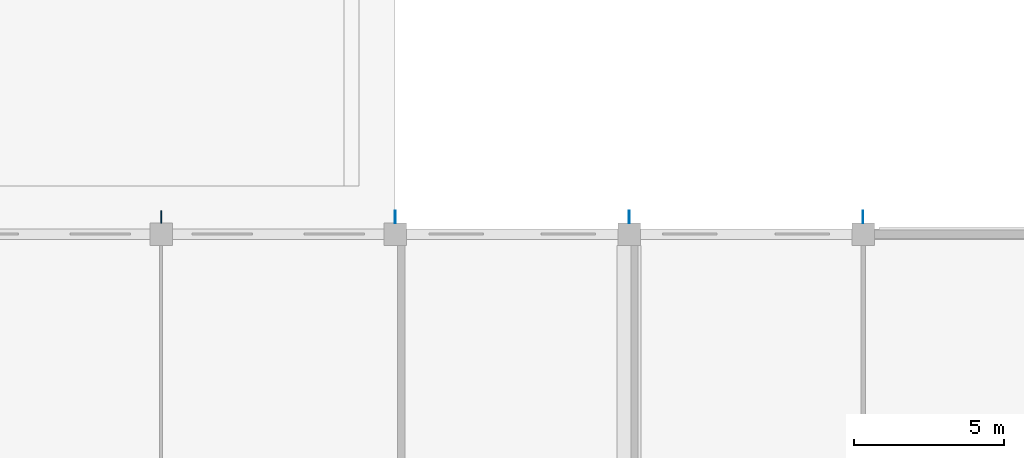
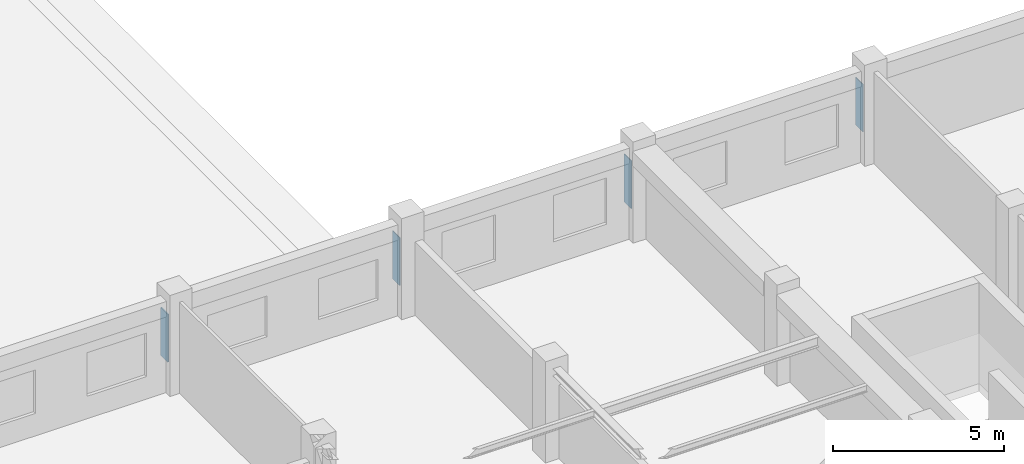
# One storey, part 29 of 50: 4 plates.
"""IFC4 building model written with IfcOpenShell, lengths in metres."""

import ifcopenshell
import ifcopenshell.guid

model = None  # the IFC model being written
_history = None  # IfcOwnerHistory: only IFC2X3 demands one
_inside = {}  # id of a spatial element -> (the spatial element, [elements in it])
_under = {}  # id of a project, library or spatial element -> (it, [spatial elements below it])
_declared = {}  # id of a project -> (the project, [libraries it declares])
_typed = {}  # id of a type object -> (the type object, [elements of that type])
_made_of = {}  # id of a material, layer set ... -> (it, [elements and type objects made of it])


def new_model(schema):
    """Start an empty IFC model of exactly this schema.

    Asked for "IFC4X3", IfcOpenShell would pick the latest addendum, in which some entities
    have other attributes; the version numbers below select the first issue.
    IFC2X3 requires an IfcOwnerHistory on every rooted entity: one is made here for all.
    """
    global model, _history
    if schema == "IFC4X3":
        model = ifcopenshell.file(schema_version=(4, 3, 0, 0))
    else:
        model = ifcopenshell.file(schema=schema)
    _inside.clear()
    _under.clear()
    _declared.clear()
    _typed.clear()
    _made_of.clear()
    _history = None
    if model.schema == "IFC2X3":
        org = make("IfcOrganization", Name="unknown")
        user = make(
            "IfcPersonAndOrganization",
            ThePerson=make("IfcPerson", FamilyName="unknown"),
            TheOrganization=org,
        )
        app = make(
            "IfcApplication",
            ApplicationDeveloper=org,
            Version="unknown",
            ApplicationFullName="unknown",
            ApplicationIdentifier="unknown",
        )
        _history = make(
            "IfcOwnerHistory",
            OwningUser=user,
            OwningApplication=app,
            ChangeAction="ADDED",
            CreationDate=0,
        )
    return model


def make(cls, **values):
    """One entity of the class cls with the attributes given. An attribute that is None is left unset."""
    return model.create_entity(
        cls, **{name: value for name, value in values.items() if value is not None}
    )


def rooted(cls, **values):
    """An entity with a GlobalId (a new one), such as an element, a storey or a relation."""
    return make(cls, GlobalId=ifcopenshell.guid.new(), OwnerHistory=_history, **values)


def si_unit(unit_type, name, prefix=None):
    """IfcSIUnit, for example si_unit("LENGTHUNIT", "METRE", prefix="MILLI")."""
    return make("IfcSIUnit", UnitType=unit_type, Prefix=prefix, Name=name)


def assignment(units):
    """IfcUnitAssignment: the units of a project."""
    return None if units is None else make("IfcUnitAssignment", Units=units)


def point(xyz):
    """IfcCartesianPoint."""
    return None if xyz is None else make("IfcCartesianPoint", Coordinates=xyz)


def direction(xyz):
    """IfcDirection."""
    return None if xyz is None else make("IfcDirection", DirectionRatios=xyz)


def frame(location, z_axis=None, x_axis=None):
    """IfcAxis2Placement3D, a coordinate frame: its origin and axes. An axis left out is left unset."""
    return make(
        "IfcAxis2Placement3D",
        Location=point(location),
        Axis=direction(z_axis),
        RefDirection=direction(x_axis),
    )


def frame_2d(location, x_axis=None):
    """IfcAxis2Placement2D, a coordinate frame in the plane: its origin and x axis."""
    return make(
        "IfcAxis2Placement2D", Location=point(location), RefDirection=direction(x_axis)
    )


def origin():
    """The frame at (0, 0, 0) with its axes left unset."""
    return frame((0.0, 0.0, 0.0))


def origin_2d():
    """The frame at (0, 0) in the plane with its x axis left unset."""
    return frame_2d((0.0, 0.0))


def place(relative_to, where):
    """IfcLocalPlacement: puts the frame where relative to a parent placement (None: the world)."""
    return make(
        "IfcLocalPlacement", PlacementRelTo=relative_to, RelativePlacement=where
    )


def context(
    kind, dimensions, precision=None, world=None, true_north=None, identifier=None
):
    """IfcGeometricRepresentationContext, for example the 3D "Model" context."""
    return make(
        "IfcGeometricRepresentationContext",
        ContextIdentifier=identifier,
        ContextType=kind,
        CoordinateSpaceDimension=dimensions,
        Precision=precision,
        WorldCoordinateSystem=world,
        TrueNorth=true_north,
    )


def subcontext(parent, identifier, kind, view, scale=None):
    """IfcGeometricRepresentationSubContext, for example "Body" below "Model"."""
    return make(
        "IfcGeometricRepresentationSubContext",
        ContextIdentifier=identifier,
        ContextType=kind,
        ParentContext=parent,
        TargetScale=scale,
        TargetView=view,
    )


def project(units=None, contexts=None):
    """IfcProject with its units and contexts."""
    return rooted(
        "IfcProject",
        Name="project",
        RepresentationContexts=contexts,
        UnitsInContext=assignment(units),
    )


def spatial(cls, under=None, at=None, **own):
    """A site, building, storey or space (cls), placed at a placement, below another one or the project."""
    s = rooted(cls, ObjectPlacement=at, **own)
    if under is not None:
        _under.setdefault(under.id(), (under, []))[1].append(s)
    return s


def profile(cls, at=None, kind="AREA", **sizes):
    """A parametric profile (cls). Its sizes go by their IFC names, for example OverallWidth=200.0."""
    return make(cls, ProfileType=kind, Position=at, **sizes)


def rectangle(**sizes):
    """IfcRectangleProfileDef."""
    return profile("IfcRectangleProfileDef", **sizes)


def extrude(swept, where, along, depth):
    """IfcExtrudedAreaSolid: the profile swept, set in the frame where, extruded along a direction by depth."""
    return make(
        "IfcExtrudedAreaSolid",
        SweptArea=swept,
        Position=where,
        ExtrudedDirection=direction(along),
        Depth=depth,
    )


def shape(context_of_items, identifier, shape_type, items):
    """IfcShapeRepresentation: the items that make up one representation, for example the "Body"."""
    return make(
        "IfcShapeRepresentation",
        ContextOfItems=context_of_items,
        RepresentationIdentifier=identifier,
        RepresentationType=shape_type,
        Items=items,
    )


def material(Name=None, Category=None):
    """IfcMaterial."""
    return make("IfcMaterial", Name=Name, Category=Category)


def layer(
    of_material, thickness, ventilated=None, Name=None, Category=None, Priority=None
):
    """IfcMaterialLayer: one layer of a wall or slab, of a material (None: an air gap)."""
    return make(
        "IfcMaterialLayer",
        Material=of_material,
        LayerThickness=thickness,
        IsVentilated=ventilated,
        Name=Name,
        Category=Category,
        Priority=Priority,
    )


def layer_set(layers, Name=None):
    """IfcMaterialLayerSet."""
    return make("IfcMaterialLayerSet", MaterialLayers=layers, LayerSetName=Name)


def made_of(thing, what):
    """Note that an element or type object is made of a material, layer set ...; save() writes the relation."""
    if what is not None:
        _made_of.setdefault(what.id(), (what, []))[1].append(thing)
    return thing


def type_object(cls, material=None, **own):
    """A type object (cls), such as IfcWallType, which elements share."""
    return made_of(rooted(cls, **own), material)


def element(
    cls,
    number,
    at=None,
    inside=None,
    cuts=None,
    type_object=None,
    material=None,
    context=None,
    identifier="Body",
    shape_type=None,
    held_by="IfcProductDefinitionShape",
    body=None,
    shapes=None,
    **own,
):
    """One element of the class cls, such as IfcWall. Its Tag is "e" and its number.

    at: its placement. inside: the storey or other place that contains it. cuts: it is an
    opening in that element (IfcRelVoidsElement). A single representation is given by context,
    identifier, shape_type and body (its items); several are given by shapes. held_by: the class
    of the entity that holds the representations. save() writes the other relations.
    """
    e = rooted(cls, Tag="e%d" % number, ObjectPlacement=at, **own)
    if body is not None:
        shapes = [shape(context, identifier, shape_type, body)]
    if shapes is not None:
        e.Representation = make(held_by, Representations=shapes)
    if inside is not None:
        _inside.setdefault(inside.id(), (inside, []))[1].append(e)
    if cuts is not None:
        rooted(
            "IfcRelVoidsElement", RelatingBuildingElement=cuts, RelatedOpeningElement=e
        )
    if type_object is not None:
        _typed.setdefault(type_object.id(), (type_object, []))[1].append(e)
    return made_of(e, material)


def aggregate(whole, parts):
    """IfcRelAggregates: a whole, such as a stair, and the parts it consists of."""
    return rooted("IfcRelAggregates", RelatingObject=whole, RelatedObjects=parts)


def save(model, path):
    """Write the relations noted so far, then the file.

    IfcRelAggregates (storeys below a building ...), IfcRelContainedInSpatialStructure (elements
    in a storey), IfcRelDefinesByType, IfcRelAssociatesMaterial and IfcRelDeclares: one each for
    every whole, place, type object, material and project.
    """
    for whole, parts in _under.values():
        aggregate(whole, parts)
    for where, things in _inside.values():
        rooted(
            "IfcRelContainedInSpatialStructure",
            RelatedElements=things,
            RelatingStructure=where,
        )
    for kind, things in _typed.values():
        rooted("IfcRelDefinesByType", RelatedObjects=things, RelatingType=kind)
    for what, things in _made_of.values():
        rooted("IfcRelAssociatesMaterial", RelatedObjects=things, RelatingMaterial=what)
    for by, libraries in _declared.values():
        rooted("IfcRelDeclares", RelatingContext=by, RelatedDefinitions=libraries)
    model.write(path)


model = new_model("IFC4")

# Units and contexts
model_context = context("Model", 3, precision=1e-05, world=origin(), true_north=direction((0.0, 1.0)))
body_context = subcontext(model_context, "Body", "Model", "MODEL_VIEW")
ifc_project = project(units=[si_unit("LENGTHUNIT", "METRE"), si_unit("AREAUNIT", "SQUARE_METRE"), si_unit("VOLUMEUNIT", "CUBIC_METRE"), si_unit("PLANEANGLEUNIT", "RADIAN"), si_unit("MASSUNIT", "GRAM", prefix="KILO"), si_unit("THERMODYNAMICTEMPERATUREUNIT", "KELVIN"), si_unit("POWERUNIT", "WATT")], contexts=[model_context])

# Site, building, storey
site_placement = place(None, origin())
site = spatial("IfcSite", under=ifc_project, at=site_placement, CompositionType="ELEMENT")
building_placement = place(site_placement, origin())
building = spatial("IfcBuilding", under=site, at=building_placement, Name="Srebrne Nadtorze General Hospital", CompositionType="ELEMENT")
storey_placement = place(building_placement, frame((0.0, 0.0, 14.39990234375)))
storey = spatial("IfcBuildingStorey", under=building, at=storey_placement, Name="L03", CompositionType="ELEMENT", Elevation=14.39990234375)

# Plates
ifc_material_1 = material(Name="Steel S355J2", Category="steel")
ifc_layer_1 = layer(ifc_material_1, 0.02490234375)
ifc_layer_set_1 = layer_set([ifc_layer_1], Name="Steel S355J2")
plate_type_1 = type_object("IfcPlateType", Name="Steel gusset plate 25", PredefinedType="SHEET", material=ifc_layer_set_1)
plate_1_placement = place(storey_placement, frame((78.0, 92.97509765625, 0.64990234375), z_axis=(0.0, 0.0, 1.0), x_axis=(1.0, 0.0, 0.0)))
element("IfcPlate", 1, at=plate_1_placement, inside=storey, type_object=plate_type_1, Name="Steel connection gusset plate 8", PredefinedType="SHEET", context=body_context, shape_type="SweptSolid", body=[
    extrude(rectangle(XDim=0.02490234375, YDim=0.419921875, at=origin_2d()), origin(), (0.0, 0.0, 1.0), 1.699951171875),
])
ifc_material_2 = material(Name="Steel S355J2", Category="steel")
ifc_layer_2 = layer(ifc_material_2, 0.031982421875)
ifc_layer_set_2 = layer_set([ifc_layer_2], Name="Steel S355J2")
plate_type_2 = type_object("IfcPlateType", Name="Steel gusset plate 32", PredefinedType="SHEET", material=ifc_layer_set_2)
plate_2_placement = place(storey_placement, frame((70.199951171875, 92.97509765625, 0.64990234375), z_axis=(0.0, 0.0, 1.0), x_axis=(1.0, 0.0, 0.0)))
element("IfcPlate", 2, at=plate_2_placement, inside=storey, type_object=plate_type_2, Name="Steel connection gusset plate 7", PredefinedType="SHEET", context=body_context, shape_type="SweptSolid", body=[
    extrude(rectangle(XDim=0.031982421875, YDim=0.419921875, at=origin_2d()), origin(), (0.0, 0.0, 1.0), 1.699951171875),
])
ifc_material_3 = material(Name="Steel S355J2", Category="steel")
ifc_layer_3 = layer(ifc_material_3, 0.0400390625)
ifc_layer_set_3 = layer_set([ifc_layer_3], Name="Steel S355J2")
plate_type_3 = type_object("IfcPlateType", Name="Steel gusset plate 40", PredefinedType="SHEET", material=ifc_layer_set_3)
plate_3_placement = place(storey_placement, frame((62.39990234375, 92.97509765625, 0.64990234375), z_axis=(0.0, 0.0, 1.0), x_axis=(1.0, 0.0, 0.0)))
element("IfcPlate", 3, at=plate_3_placement, inside=storey, type_object=plate_type_3, Name="Steel connection gusset plate 6", PredefinedType="SHEET", context=body_context, shape_type="SweptSolid", body=[
    extrude(rectangle(XDim=0.0400390625, YDim=0.419921875, at=origin_2d()), origin(), (0.0, 0.0, 1.0), 1.699951171875),
])
ifc_material_4 = material(Name="Steel S355J2", Category="steel")
ifc_layer_4 = layer(ifc_material_4, 0.01806640625)
ifc_layer_set_4 = layer_set([ifc_layer_4], Name="Steel S355J2")
plate_type_4 = type_object("IfcPlateType", Name="Steel stiffener plate 18", PredefinedType="SHEET", material=ifc_layer_set_4)
plate_4_placement = place(storey_placement, frame((85.800048828125, 92.97509765625, 0.64990234375), z_axis=(0.0, 0.0, 1.0), x_axis=(1.0, 0.0, 0.0)))
element("IfcPlate", 4, at=plate_4_placement, inside=storey, type_object=plate_type_4, Name="Steel connection gusset plate 9", PredefinedType="SHEET", context=body_context, shape_type="SweptSolid", body=[
    extrude(rectangle(XDim=0.01806640625, YDim=0.419921875, at=origin_2d()), origin(), (0.0, 0.0, 1.0), 1.699951171875),
])

save(model, "model.ifc")
